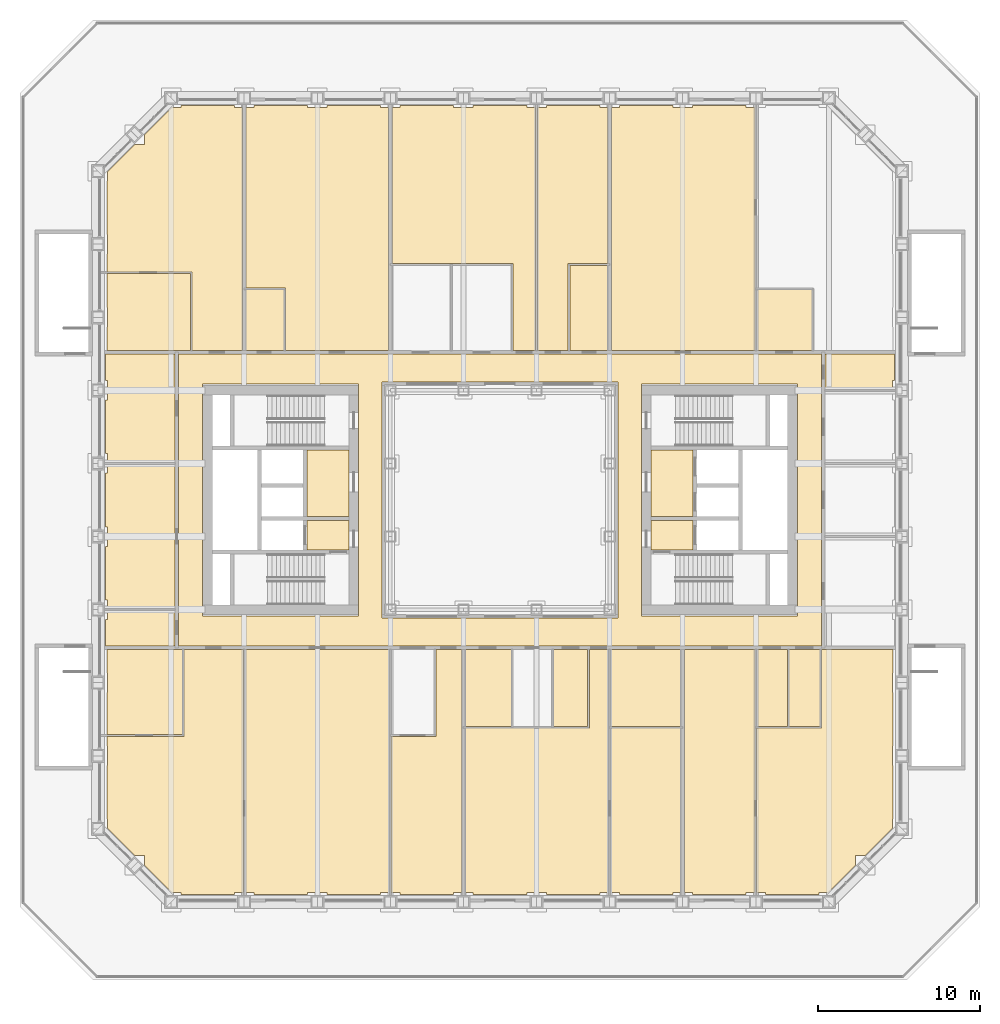
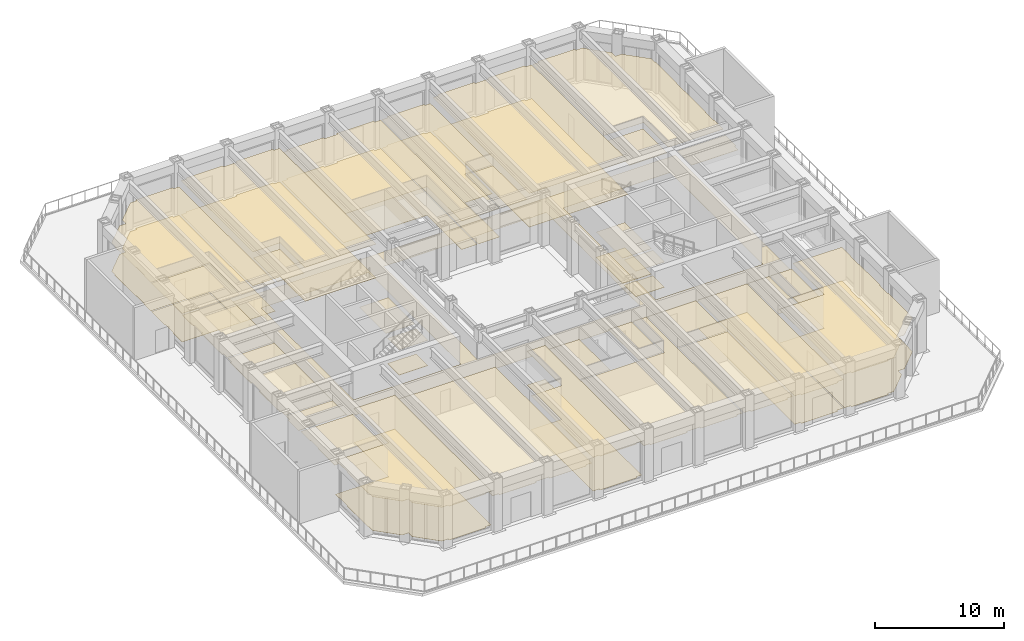
# One storey, part 16 of 18: 6 coverings.
"""IFC4 building model written with IfcOpenShell, lengths in metres."""

from ifc_helpers import new_model, si_unit, direction, frame, origin, place, context, subcontext, project, spatial, line, indexed_curve, outline, extrude, material, layer, layer_set, type_object, element, save


model = new_model("IFC4")

# Units and contexts
model_context = context("Model", 3, precision=1e-05, world=origin(), true_north=direction((0.0, 1.0)))
body_context = subcontext(model_context, "Body", "Model", "MODEL_VIEW")
ifc_project = project(units=[si_unit("LENGTHUNIT", "METRE"), si_unit("AREAUNIT", "SQUARE_METRE"), si_unit("VOLUMEUNIT", "CUBIC_METRE"), si_unit("PLANEANGLEUNIT", "RADIAN"), si_unit("MASSUNIT", "GRAM", prefix="KILO")], contexts=[model_context])

# Site, building, storey
site_placement = place(None, origin())
site = spatial("IfcSite", under=ifc_project, at=site_placement, CompositionType="ELEMENT")
building_placement = place(site_placement, origin())
building = spatial("IfcBuilding", under=site, at=building_placement, Name="Msasa Ring Tower", CompositionType="ELEMENT")
storey_placement = place(building_placement, frame((0.0, 0.0, 21.5)))
storey = spatial("IfcBuildingStorey", under=building, at=storey_placement, Name="L04", CompositionType="ELEMENT", Elevation=21.5)

# Coverings
ifc_material_1 = material(Name="Gypsum plasterboard on a steel suspension grid", Category="steel")
ifc_layer_1 = layer(ifc_material_1, 0.014892578125)
ifc_layer_set_1 = layer_set([ifc_layer_1], Name="C1 SUSPENDED PLASTERBOARD CEILING 15")
covering_type_1 = type_object("IfcCoveringType", Name="C1 SUSPENDED PLASTERBOARD CEILING 15", PredefinedType="CEILING", material=ifc_layer_set_1)
covering_1_placement = place(storey_placement, frame((0.0, 0.0, 2.39990234375)))
element("IfcCovering", 1, at=covering_1_placement, inside=storey, type_object=covering_type_1, Name="Suspended Plasterboard Ceiling 15 circulation L04", PredefinedType="CEILING", context=body_context, shape_type="SweptSolid", body=[
    extrude(outline(indexed_curve([(19.799560546875, 8.99951171875), (19.799560546875, -8.99951171875), (-19.799560546875, -8.99951171875), (-19.799560546875, 8.99951171875)], segments=[line(1, 2, 3, 4, 1)], self_intersect=False), holes=[indexed_curve([(18.300537109375, -7.150390625), (18.300537109375, 7.150390625), (8.699462890625, 7.150390625), (8.699462890625, -7.150390625)], segments=[line(1, 2, 3, 4, 1)], self_intersect=False), indexed_curve([(-8.699462890625, -7.150390625), (-8.699462890625, 7.150390625), (-18.300537109375, 7.150390625), (-18.300537109375, -7.150390625)], segments=[line(1, 2, 3, 4, 1)], self_intersect=False), indexed_curve([(-7.275390625, -7.275390625), (-6.224609375, -7.275390625), (-6.224609375, -7.25048828125), (-2.775390625, -7.25048828125), (-2.775390625, -7.275390625), (-1.724609375, -7.275390625), (-1.724609375, -7.25048828125), (1.724609375, -7.25048828125), (1.724609375, -7.275390625), (2.775390625, -7.275390625), (2.775390625, -7.25048828125), (6.224609375, -7.25048828125), (6.224609375, -7.275390625), (7.275390625, -7.275390625), (7.275390625, -6.224609375), (7.25048828125, -6.224609375), (7.25048828125, -2.775390625), (7.275390625, -2.775390625), (7.275390625, -1.724609375), (7.25048828125, -1.724609375), (7.25048828125, 1.724609375), (7.275390625, 1.724609375), (7.275390625, 2.775390625), (7.25048828125, 2.775390625), (7.25048828125, 6.224609375), (7.275390625, 6.224609375), (7.275390625, 7.275390625), (6.224609375, 7.275390625), (6.224609375, 7.25048828125), (2.775390625, 7.25048828125), (2.775390625, 7.275390625), (1.724609375, 7.275390625), (1.724609375, 7.25048828125), (-1.724609375, 7.25048828125), (-1.724609375, 7.275390625), (-2.775390625, 7.275390625), (-2.775390625, 7.25048828125), (-6.224609375, 7.25048828125), (-6.224609375, 7.275390625), (-7.275390625, 7.275390625), (-7.275390625, 6.224609375), (-7.25048828125, 6.224609375), (-7.25048828125, 2.775390625), (-7.275390625, 2.775390625), (-7.275390625, 1.724609375), (-7.25048828125, 1.724609375), (-7.25048828125, -1.724609375), (-7.275390625, -1.724609375), (-7.275390625, -2.775390625), (-7.25048828125, -2.775390625), (-7.25048828125, -6.224609375), (-7.275390625, -6.224609375)], segments=[line(1, 2, 3, 4, 5, 6, 7, 8, 9, 10, 11, 12, 13, 14, 15, 16, 17, 18, 19, 20, 21, 22, 23, 24, 25, 26, 27, 28, 29, 30, 31, 32, 33, 34, 35, 36, 37, 38, 39, 40, 41, 42, 43, 44, 45, 46, 47, 48, 49, 50, 51, 52, 1)], self_intersect=False)]), origin(), (0.0, 0.0, 1.0), 0.01513671875),
    extrude(outline(indexed_curve([(-9.300537109375, -3.074462890625), (-11.87451171875, -3.074462890625), (-11.87451171875, -1.275390625), (-9.300537109375, -1.275390625)], segments=[line(1, 2, 3, 4, 1)], self_intersect=False)), origin(), (0.0, 0.0, 1.0), 0.01513671875),
    extrude(outline(indexed_curve([(11.87451171875, -3.074462890625), (9.300537109375, -3.074462890625), (9.300537109375, -1.275390625), (11.87451171875, -1.275390625)], segments=[line(1, 2, 3, 4, 1)], self_intersect=False)), origin(), (0.0, 0.0, 1.0), 0.01513671875),
    extrude(outline(indexed_curve([(11.87451171875, -1.0244140625), (9.300537109375, -1.0244140625), (9.300537109375, 3.074462890625), (11.87451171875, 3.074462890625)], segments=[line(1, 2, 3, 4, 1)], self_intersect=False)), origin(), (0.0, 0.0, 1.0), 0.01513671875),
])
covering_2_placement = place(storey_placement, frame((0.0, 0.0, 3.199951171875)))
element("IfcCovering", 2, at=covering_2_placement, inside=storey, type_object=covering_type_1, Name="Suspended Plasterboard Ceiling 15 public rooms L04", PredefinedType="CEILING", context=body_context, shape_type="SweptSolid", body=[
    extrude(outline(indexed_curve([(-24.199462890625, -16.3505859375), (-24.1494140625, -16.3505859375), (-24.1494140625, -15.1494140625), (-24.199462890625, -15.1494140625), (-24.199462890625, -14.550537109375), (-19.449462890625, -14.550537109375), (-19.449462890625, -9.200439453125), (-15.800537109375, -9.200439453125), (-15.800537109375, -24.1494140625), (-16.3505859375, -24.1494140625), (-16.3505859375, -24.299560546875), (-19.6494140625, -24.299560546875), (-19.6494140625, -24.1494140625), (-20.21337890625, -24.1494140625), (-21.8994140625, -22.46337890625), (-21.8994140625, -21.8994140625), (-22.46337890625, -21.8994140625), (-24.1494140625, -20.21337890625), (-24.1494140625, -19.6494140625), (-24.199462890625, -19.6494140625)], segments=[line(1, 2, 3, 4, 5, 6, 7, 8, 9, 10, 11, 12, 13, 14, 15, 16, 17, 18, 19, 20, 1)], self_intersect=False)), origin(), (0.0, 0.0, 1.0), 0.01513671875),
    extrude(outline(indexed_curve([(-15.6494140625, 13.050537109375), (-15.6494140625, 24.1494140625), (-15.1494140625, 24.1494140625), (-15.1494140625, 24.299560546875), (-11.8505859375, 24.299560546875), (-11.8505859375, 24.1494140625), (-10.6494140625, 24.1494140625), (-10.6494140625, 24.299560546875), (-7.3505859375, 24.299560546875), (-7.3505859375, 24.1494140625), (-6.8505859375, 24.1494140625), (-6.8505859375, 9.200439453125), (-13.199462890625, 9.200439453125), (-13.199462890625, 13.050537109375)], segments=[line(1, 2, 3, 4, 5, 6, 7, 8, 9, 10, 11, 12, 13, 14, 1)], self_intersect=False)), origin(), (0.0, 0.0, 1.0), 0.01513671875),
    extrude(outline(indexed_curve([(-3.949462890625, -14.550537109375), (-3.949462890625, -9.200439453125), (-2.3505859375, -9.200439453125), (-2.3505859375, -24.1494140625), (-2.8505859375, -24.1494140625), (-2.8505859375, -24.299560546875), (-6.1494140625, -24.299560546875), (-6.1494140625, -24.1494140625), (-6.699462890625, -24.1494140625), (-6.699462890625, -14.550537109375)], segments=[line(1, 2, 3, 4, 5, 6, 7, 8, 9, 10, 1)], self_intersect=False)), origin(), (0.0, 0.0, 1.0), 0.01513671875),
    extrude(outline(indexed_curve([(6.8505859375, 9.200439453125), (6.8505859375, 24.1494140625), (7.3505859375, 24.1494140625), (7.3505859375, 24.299560546875), (10.6494140625, 24.299560546875), (10.6494140625, 24.1494140625), (11.8505859375, 24.1494140625), (11.8505859375, 24.299560546875), (15.1494140625, 24.299560546875), (15.1494140625, 24.1494140625), (15.699462890625, 24.1494140625), (15.699462890625, 9.200439453125)], segments=[line(1, 2, 3, 4, 5, 6, 7, 8, 9, 10, 11, 12, 1)], self_intersect=False)), origin(), (0.0, 0.0, 1.0), 0.01513671875),
    extrude(outline(indexed_curve([(19.800537109375, -14.050537109375), (19.800537109375, -9.200439453125), (24.199462890625, -9.200439453125), (24.199462890625, -10.6494140625), (24.1494140625, -10.6494140625), (24.1494140625, -11.8505859375), (24.199462890625, -11.8505859375), (24.199462890625, -15.1494140625), (24.1494140625, -15.1494140625), (24.1494140625, -16.3505859375), (24.199462890625, -16.3505859375), (24.199462890625, -19.6494140625), (24.1494140625, -19.6494140625), (24.1494140625, -20.21337890625), (22.46337890625, -21.8994140625), (21.8994140625, -21.8994140625), (21.8994140625, -22.46337890625), (20.21337890625, -24.1494140625), (19.6494140625, -24.1494140625), (19.6494140625, -24.299560546875), (16.3505859375, -24.299560546875), (16.3505859375, -24.1494140625), (15.800537109375, -24.1494140625), (15.800537109375, -14.050537109375)], segments=[line(1, 2, 3, 4, 5, 6, 7, 8, 9, 10, 11, 12, 13, 14, 15, 16, 17, 18, 19, 20, 21, 22, 23, 24, 1)], self_intersect=False)), origin(), (0.0, 0.0, 1.0), 0.01513671875),
    extrude(outline(indexed_curve([(15.800537109375, 24.1494140625), (16.3505859375, 24.1494140625), (16.3505859375, 24.299560546875), (19.6494140625, 24.299560546875), (19.6494140625, 24.1494140625), (20.21337890625, 24.1494140625), (21.8994140625, 22.46337890625), (21.8994140625, 21.8994140625), (22.46337890625, 21.8994140625), (24.1494140625, 20.21337890625), (24.1494140625, 19.6494140625), (24.199462890625, 19.6494140625), (24.199462890625, 16.3505859375), (24.1494140625, 16.3505859375), (24.1494140625, 15.1494140625), (24.199462890625, 15.1494140625), (24.199462890625, 11.8505859375), (24.1494140625, 11.8505859375), (24.1494140625, 10.6494140625), (24.199462890625, 10.6494140625), (24.199462890625, 9.200439453125), (19.300537109375, 9.200439453125), (19.300537109375, 13.050537109375), (15.800537109375, 13.050537109375)], segments=[line(1, 2, 3, 4, 5, 6, 7, 8, 9, 10, 11, 12, 13, 14, 15, 16, 17, 18, 19, 20, 21, 22, 23, 24, 1)], self_intersect=False)), origin(), (0.0, 0.0, 1.0), 0.01513671875),
])
covering_3_placement = place(storey_placement, frame((0.0, 0.0, 2.699951171875)))
element("IfcCovering", 3, at=covering_3_placement, inside=storey, type_object=covering_type_1, Name="Suspended Plasterboard Ceiling 15 L04", PredefinedType="CEILING", context=body_context, shape_type="SweptSolid", body=[
    extrude(outline(indexed_curve([(-24.199462890625, 14.050537109375), (-24.199462890625, 15.1494140625), (-24.1494140625, 15.1494140625), (-24.1494140625, 16.3505859375), (-24.199462890625, 16.3505859375), (-24.199462890625, 19.6494140625), (-24.1494140625, 19.6494140625), (-24.1494140625, 20.21337890625), (-22.46337890625, 21.8994140625), (-21.8994140625, 21.8994140625), (-21.8994140625, 22.46337890625), (-20.21337890625, 24.1494140625), (-19.6494140625, 24.1494140625), (-19.6494140625, 24.299560546875), (-16.3505859375, 24.299560546875), (-16.3505859375, 24.1494140625), (-15.8505859375, 24.1494140625), (-15.8505859375, 9.200439453125), (-18.949462890625, 9.200439453125), (-18.949462890625, 14.050537109375)], segments=[line(1, 2, 3, 4, 5, 6, 7, 8, 9, 10, 11, 12, 13, 14, 15, 16, 17, 18, 19, 20, 1)], self_intersect=False)), origin(), (0.0, 0.0, 1.0), 0.01513671875),
    extrude(outline(indexed_curve([(-24.199462890625, 9.200439453125), (-24.199462890625, 10.6494140625), (-24.1494140625, 10.6494140625), (-24.1494140625, 11.8505859375), (-24.199462890625, 11.8505859375), (-24.199462890625, 13.949462890625), (-19.050537109375, 13.949462890625), (-19.050537109375, 9.200439453125)], segments=[line(1, 2, 3, 4, 5, 6, 7, 8, 1)], self_intersect=False)), origin(), (0.0, 0.0, 1.0), 0.01513671875),
    extrude(outline(indexed_curve([(-2.8505859375, 24.299560546875), (-2.8505859375, 24.1494140625), (-1.6494140625, 24.1494140625), (-1.6494140625, 24.299560546875), (1.6494140625, 24.299560546875), (1.6494140625, 24.1494140625), (2.199462890625, 24.1494140625), (2.199462890625, 9.200439453125), (0.800537109375, 9.200439453125), (0.800537109375, 14.550537109375), (-6.6494140625, 14.550537109375), (-6.6494140625, 24.1494140625), (-6.1494140625, 24.1494140625), (-6.1494140625, 24.299560546875)], segments=[line(1, 2, 3, 4, 5, 6, 7, 8, 9, 10, 11, 12, 13, 14, 1)], self_intersect=False)), origin(), (0.0, 0.0, 1.0), 0.01513671875),
    extrude(outline(indexed_curve([(4.199462890625, 14.550537109375), (4.199462890625, 9.200439453125), (2.300537109375, 9.200439453125), (2.300537109375, 24.1494140625), (2.8505859375, 24.1494140625), (2.8505859375, 24.299560546875), (6.1494140625, 24.299560546875), (6.1494140625, 24.1494140625), (6.6494140625, 24.1494140625), (6.6494140625, 14.550537109375)], segments=[line(1, 2, 3, 4, 5, 6, 7, 8, 9, 10, 1)], self_intersect=False)), origin(), (0.0, 0.0, 1.0), 0.01513671875),
    extrude(outline(indexed_curve([(6.800537109375, -13.949462890625), (6.800537109375, -9.200439453125), (11.1494140625, -9.200439453125), (11.1494140625, -13.949462890625)], segments=[line(1, 2, 3, 4, 1)], self_intersect=False)), origin(), (0.0, 0.0, 1.0), 0.01513671875),
    extrude(outline(indexed_curve([(11.8505859375, -24.299560546875), (11.8505859375, -24.1494140625), (11.3505859375, -24.1494140625), (11.3505859375, -9.200439453125), (15.699462890625, -9.200439453125), (15.699462890625, -24.1494140625), (15.1494140625, -24.1494140625), (15.1494140625, -24.299560546875)], segments=[line(1, 2, 3, 4, 5, 6, 7, 8, 1)], self_intersect=False)), origin(), (0.0, 0.0, 1.0), 0.01513671875),
])
ifc_material_2 = material(Name="Mineral fibre ceiling tiles on an exposed steel grid", Category="steel")
ifc_layer_2 = layer(ifc_material_2, 0.02001953125)
ifc_layer_set_2 = layer_set([ifc_layer_2], Name="C3 ACOUSTIC MINERAL FIBRE TILE CEILING 20")
covering_type_2 = type_object("IfcCoveringType", Name="C3 ACOUSTIC MINERAL FIBRE TILE CEILING 20", PredefinedType="CEILING", material=ifc_layer_set_2)
covering_4_placement = place(storey_placement, frame((0.0, 0.0, 2.699951171875)))
element("IfcCovering", 4, at=covering_4_placement, inside=storey, type_object=covering_type_2, Name="Acoustic Mineral Fibre Tile Ceiling 20 L04", PredefinedType="CEILING", context=body_context, shape_type="SweptSolid", body=[
    extrude(outline(indexed_curve([(-20.00048828125, -8.99951171875), (-24.299560546875, -8.99951171875), (-24.299560546875, -7.3505859375), (-24.1494140625, -7.3505859375), (-24.1494140625, -6.805419921875), (-20.00048828125, -6.805419921875)], segments=[line(1, 2, 3, 4, 5, 6, 1)], self_intersect=False)), origin(), (0.0, 0.0, 1.0), 0.02001953125),
    extrude(outline(indexed_curve([(-20.00048828125, -6.694580078125), (-24.1494140625, -6.694580078125), (-24.1494140625, -6.1494140625), (-24.299560546875, -6.1494140625), (-24.299560546875, -2.8505859375), (-24.1494140625, -2.8505859375), (-24.1494140625, -1.6494140625), (-24.299560546875, -1.6494140625), (-24.299560546875, 1.6494140625), (-24.1494140625, 1.6494140625), (-24.1494140625, 2.194580078125), (-20.00048828125, 2.194580078125)], segments=[line(1, 2, 3, 4, 5, 6, 7, 8, 9, 10, 11, 12, 1)], self_intersect=False)), origin(), (0.0, 0.0, 1.0), 0.02001953125),
    extrude(outline(indexed_curve([(-20.00048828125, 2.305419921875), (-24.1494140625, 2.305419921875), (-24.1494140625, 2.8505859375), (-24.299560546875, 2.8505859375), (-24.299560546875, 6.1494140625), (-24.1494140625, 6.1494140625), (-24.1494140625, 7.3505859375), (-24.299560546875, 7.3505859375), (-24.299560546875, 8.99951171875), (-20.00048828125, 8.99951171875)], segments=[line(1, 2, 3, 4, 5, 6, 7, 8, 9, 10, 1)], self_intersect=False)), origin(), (0.0, 0.0, 1.0), 0.02001953125),
    extrude(outline(indexed_curve([(-24.199462890625, -11.8505859375), (-24.1494140625, -11.8505859375), (-24.1494140625, -10.6494140625), (-24.199462890625, -10.6494140625), (-24.199462890625, -9.200439453125), (-19.550537109375, -9.200439453125), (-19.550537109375, -14.449462890625), (-24.199462890625, -14.449462890625)], segments=[line(1, 2, 3, 4, 5, 6, 7, 8, 1)], self_intersect=False)), origin(), (0.0, 0.0, 1.0), 0.02001953125),
    extrude(outline(indexed_curve([(-15.699462890625, -9.200439453125), (-6.800537109375, -9.200439453125), (-6.800537109375, -24.1494140625), (-7.3505859375, -24.1494140625), (-7.3505859375, -24.299560546875), (-10.6494140625, -24.299560546875), (-10.6494140625, -24.1494140625), (-11.8505859375, -24.1494140625), (-11.8505859375, -24.299560546875), (-15.1494140625, -24.299560546875), (-15.1494140625, -24.1494140625), (-15.699462890625, -24.1494140625)], segments=[line(1, 2, 3, 4, 5, 6, 7, 8, 9, 10, 11, 12, 1)], self_intersect=False)), origin(), (0.0, 0.0, 1.0), 0.02001953125),
    extrude(outline(indexed_curve([(-15.6494140625, 12.949462890625), (-13.300537109375, 12.949462890625), (-13.300537109375, 9.200439453125), (-15.6494140625, 9.200439453125)], segments=[line(1, 2, 3, 4, 1)], self_intersect=False)), origin(), (0.0, 0.0, 1.0), 0.02001953125),
    extrude(outline(indexed_curve([(-11.87451171875, 3.074462890625), (-9.300537109375, 3.074462890625), (-9.300537109375, -1.0244140625), (-11.87451171875, -1.0244140625)], segments=[line(1, 2, 3, 4, 1)], self_intersect=False)), origin(), (0.0, 0.0, 1.0), 0.02001953125),
    extrude(outline(indexed_curve([(5.50048828125, -14.050537109375), (5.50048828125, -9.200439453125), (6.699462890625, -9.200439453125), (6.699462890625, -24.1494140625), (6.1494140625, -24.1494140625), (6.1494140625, -24.299560546875), (2.8505859375, -24.299560546875), (2.8505859375, -24.1494140625), (1.6494140625, -24.1494140625), (1.6494140625, -24.299560546875), (-1.6494140625, -24.299560546875), (-1.6494140625, -24.1494140625), (-2.1494140625, -24.1494140625), (-2.1494140625, -14.050537109375)], segments=[line(1, 2, 3, 4, 5, 6, 7, 8, 9, 10, 11, 12, 13, 14, 1)], self_intersect=False)), origin(), (0.0, 0.0, 1.0), 0.02001953125),
    extrude(outline(indexed_curve([(-2.1494140625, -9.200439453125), (0.699462890625, -9.200439453125), (0.699462890625, -13.949462890625), (-2.1494140625, -13.949462890625)], segments=[line(1, 2, 3, 4, 1)], self_intersect=False)), origin(), (0.0, 0.0, 1.0), 0.02001953125),
    extrude(outline(indexed_curve([(3.300537109375, -9.200439453125), (5.3994140625, -9.200439453125), (5.3994140625, -13.949462890625), (3.300537109375, -13.949462890625)], segments=[line(1, 2, 3, 4, 1)], self_intersect=False)), origin(), (0.0, 0.0, 1.0), 0.02001953125),
    extrude(outline(indexed_curve([(6.6494140625, 14.449462890625), (6.6494140625, 9.200439453125), (4.300537109375, 9.200439453125), (4.300537109375, 14.449462890625)], segments=[line(1, 2, 3, 4, 1)], self_intersect=False)), origin(), (0.0, 0.0, 1.0), 0.02001953125),
    extrude(outline(indexed_curve([(11.1494140625, -14.050537109375), (11.1494140625, -24.1494140625), (10.6494140625, -24.1494140625), (10.6494140625, -24.299560546875), (7.3505859375, -24.299560546875), (7.3505859375, -24.1494140625), (6.800537109375, -24.1494140625), (6.800537109375, -14.050537109375)], segments=[line(1, 2, 3, 4, 5, 6, 7, 8, 1)], self_intersect=False)), origin(), (0.0, 0.0, 1.0), 0.02001953125),
    extrude(outline(indexed_curve([(15.800537109375, -9.200439453125), (17.699462890625, -9.200439453125), (17.699462890625, -13.949462890625), (15.800537109375, -13.949462890625)], segments=[line(1, 2, 3, 4, 1)], self_intersect=False)), origin(), (0.0, 0.0, 1.0), 0.02001953125),
    extrude(outline(indexed_curve([(15.800537109375, 12.949462890625), (19.199462890625, 12.949462890625), (19.199462890625, 9.200439453125), (15.800537109375, 9.200439453125)], segments=[line(1, 2, 3, 4, 1)], self_intersect=False)), origin(), (0.0, 0.0, 1.0), 0.02001953125),
    extrude(outline(indexed_curve([(17.800537109375, -9.200439453125), (19.699462890625, -9.200439453125), (19.699462890625, -13.949462890625), (17.800537109375, -13.949462890625)], segments=[line(1, 2, 3, 4, 1)], self_intersect=False)), origin(), (0.0, 0.0, 1.0), 0.02001953125),
    extrude(outline(indexed_curve([(20.00048828125, 6.805419921875), (20.00048828125, 8.99951171875), (24.299560546875, 8.99951171875), (24.299560546875, 7.3505859375), (24.1494140625, 7.3505859375), (24.1494140625, 6.805419921875)], segments=[line(1, 2, 3, 4, 5, 6, 1)], self_intersect=False)), origin(), (0.0, 0.0, 1.0), 0.02001953125),
])
ifc_material_3 = material(Name="Honed granite tiles on a mortar bed", Category="masonry")
ifc_layer_3 = layer(ifc_material_3, 0.030029296875)
ifc_layer_set_3 = layer_set([ifc_layer_3], Name="F1 HONED GRANITE ON BEDDING 30")
covering_type_3 = type_object("IfcCoveringType", Name="F1 HONED GRANITE ON BEDDING 30", PredefinedType="FLOORING", material=ifc_layer_set_3)
covering_5_placement = place(storey_placement, origin())
element("IfcCovering", 5, at=covering_5_placement, inside=storey, type_object=covering_type_3, Name="Honed Granite On Bedding 30 L04", PredefinedType="FLOORING", context=body_context, shape_type="SweptSolid", body=[
    extrude(outline(indexed_curve([(-9.300537109375, -3.074462890625), (-11.87451171875, -3.074462890625), (-11.87451171875, -1.275390625), (-9.300537109375, -1.275390625)], segments=[line(1, 2, 3, 4, 1)], self_intersect=False)), origin(), (0.0, 0.0, 1.0), 0.030029296875),
    extrude(outline(indexed_curve([(9.300537109375, -3.074462890625), (9.300537109375, -1.275390625), (11.87451171875, -1.275390625), (11.87451171875, -3.074462890625)], segments=[line(1, 2, 3, 4, 1)], self_intersect=False)), origin(), (0.0, 0.0, 1.0), 0.030029296875),
    extrude(outline(indexed_curve([(9.300537109375, -1.0244140625), (9.300537109375, 3.074462890625), (11.87451171875, 3.074462890625), (11.87451171875, -1.0244140625)], segments=[line(1, 2, 3, 4, 1)], self_intersect=False)), origin(), (0.0, 0.0, 1.0), 0.030029296875),
])
ifc_material_4 = material(Name="Engineered oak boards on an acoustic underlay", Category="wood")
ifc_layer_4 = layer(ifc_material_4, 0.01806640625)
ifc_layer_set_4 = layer_set([ifc_layer_4], Name="F3 ENGINEERED TIMBER ON ACOUSTIC UNDERLAY 18")
covering_type_4 = type_object("IfcCoveringType", Name="F3 ENGINEERED TIMBER ON ACOUSTIC UNDERLAY 18", PredefinedType="FLOORING", material=ifc_layer_set_4)
covering_6_placement = place(storey_placement, origin())
element("IfcCovering", 6, at=covering_6_placement, inside=storey, type_object=covering_type_4, Name="Engineered Timber On Acoustic Underlay 18 L04", PredefinedType="FLOORING", context=body_context, shape_type="SweptSolid", body=[
    extrude(outline(indexed_curve([(-19.449462890625, -14.550537109375), (-19.449462890625, -9.200439453125), (-15.800537109375, -9.200439453125), (-15.800537109375, -24.1494140625), (-16.3505859375, -24.1494140625), (-16.3505859375, -24.299560546875), (-19.6494140625, -24.299560546875), (-19.6494140625, -24.1494140625), (-20.21337890625, -24.1494140625), (-21.8994140625, -22.46337890625), (-21.8994140625, -21.8994140625), (-22.46337890625, -21.8994140625), (-24.1494140625, -20.21337890625), (-24.1494140625, -19.6494140625), (-24.199462890625, -19.6494140625), (-24.199462890625, -16.3505859375), (-24.1494140625, -16.3505859375), (-24.1494140625, -15.1494140625), (-24.199462890625, -15.1494140625), (-24.199462890625, -14.550537109375)], segments=[line(1, 2, 3, 4, 5, 6, 7, 8, 9, 10, 11, 12, 13, 14, 15, 16, 17, 18, 19, 20, 1)], self_intersect=False)), origin(), (0.0, 0.0, 1.0), 0.01806640625),
    extrude(outline(indexed_curve([(-22.46337890625, 21.8994140625), (-21.8994140625, 21.8994140625), (-21.8994140625, 22.46337890625), (-20.21337890625, 24.1494140625), (-19.6494140625, 24.1494140625), (-19.6494140625, 24.299560546875), (-16.3505859375, 24.299560546875), (-16.3505859375, 24.1494140625), (-15.8505859375, 24.1494140625), (-15.8505859375, 9.200439453125), (-18.949462890625, 9.200439453125), (-18.949462890625, 14.050537109375), (-24.199462890625, 14.050537109375), (-24.199462890625, 15.1494140625), (-24.1494140625, 15.1494140625), (-24.1494140625, 16.3505859375), (-24.199462890625, 16.3505859375), (-24.199462890625, 19.6494140625), (-24.1494140625, 19.6494140625), (-24.1494140625, 20.21337890625)], segments=[line(1, 2, 3, 4, 5, 6, 7, 8, 9, 10, 11, 12, 13, 14, 15, 16, 17, 18, 19, 20, 1)], self_intersect=False)), origin(), (0.0, 0.0, 1.0), 0.01806640625),
    extrude(outline(indexed_curve([(-19.050537109375, 13.949462890625), (-19.050537109375, 9.200439453125), (-24.199462890625, 9.200439453125), (-24.199462890625, 10.6494140625), (-24.1494140625, 10.6494140625), (-24.1494140625, 11.8505859375), (-24.199462890625, 11.8505859375), (-24.199462890625, 13.949462890625)], segments=[line(1, 2, 3, 4, 5, 6, 7, 8, 1)], self_intersect=False)), origin(), (0.0, 0.0, 1.0), 0.01806640625),
    extrude(outline(indexed_curve([(-11.8505859375, 24.299560546875), (-11.8505859375, 24.1494140625), (-10.6494140625, 24.1494140625), (-10.6494140625, 24.299560546875), (-7.3505859375, 24.299560546875), (-7.3505859375, 24.1494140625), (-6.8505859375, 24.1494140625), (-6.8505859375, 9.200439453125), (-13.199462890625, 9.200439453125), (-13.199462890625, 13.050537109375), (-15.6494140625, 13.050537109375), (-15.6494140625, 24.1494140625), (-15.1494140625, 24.1494140625), (-15.1494140625, 24.299560546875)], segments=[line(1, 2, 3, 4, 5, 6, 7, 8, 9, 10, 11, 12, 13, 14, 1)], self_intersect=False)), origin(), (0.0, 0.0, 1.0), 0.01806640625),
    extrude(outline(indexed_curve([(-2.3505859375, -9.200439453125), (-2.3505859375, -24.1494140625), (-2.8505859375, -24.1494140625), (-2.8505859375, -24.299560546875), (-6.1494140625, -24.299560546875), (-6.1494140625, -24.1494140625), (-6.699462890625, -24.1494140625), (-6.699462890625, -14.550537109375), (-3.949462890625, -14.550537109375), (-3.949462890625, -9.200439453125)], segments=[line(1, 2, 3, 4, 5, 6, 7, 8, 9, 10, 1)], self_intersect=False)), origin(), (0.0, 0.0, 1.0), 0.01806640625),
    extrude(outline(indexed_curve([(-2.8505859375, 24.299560546875), (-2.8505859375, 24.1494140625), (-1.6494140625, 24.1494140625), (-1.6494140625, 24.299560546875), (1.6494140625, 24.299560546875), (1.6494140625, 24.1494140625), (2.199462890625, 24.1494140625), (2.199462890625, 9.200439453125), (0.800537109375, 9.200439453125), (0.800537109375, 14.550537109375), (-6.6494140625, 14.550537109375), (-6.6494140625, 24.1494140625), (-6.1494140625, 24.1494140625), (-6.1494140625, 24.299560546875)], segments=[line(1, 2, 3, 4, 5, 6, 7, 8, 9, 10, 11, 12, 13, 14, 1)], self_intersect=False)), origin(), (0.0, 0.0, 1.0), 0.01806640625),
    extrude(outline(indexed_curve([(2.300537109375, 24.1494140625), (2.8505859375, 24.1494140625), (2.8505859375, 24.299560546875), (6.1494140625, 24.299560546875), (6.1494140625, 24.1494140625), (6.6494140625, 24.1494140625), (6.6494140625, 14.550537109375), (4.199462890625, 14.550537109375), (4.199462890625, 9.200439453125), (2.300537109375, 9.200439453125)], segments=[line(1, 2, 3, 4, 5, 6, 7, 8, 9, 10, 1)], self_intersect=False)), origin(), (0.0, 0.0, 1.0), 0.01806640625),
    extrude(outline(indexed_curve([(10.6494140625, 24.299560546875), (10.6494140625, 24.1494140625), (11.8505859375, 24.1494140625), (11.8505859375, 24.299560546875), (15.1494140625, 24.299560546875), (15.1494140625, 24.1494140625), (15.699462890625, 24.1494140625), (15.699462890625, 9.200439453125), (6.8505859375, 9.200439453125), (6.8505859375, 24.1494140625), (7.3505859375, 24.1494140625), (7.3505859375, 24.299560546875)], segments=[line(1, 2, 3, 4, 5, 6, 7, 8, 9, 10, 11, 12, 1)], self_intersect=False)), origin(), (0.0, 0.0, 1.0), 0.01806640625),
    extrude(outline(indexed_curve([(11.3505859375, -9.200439453125), (15.699462890625, -9.200439453125), (15.699462890625, -24.1494140625), (15.1494140625, -24.1494140625), (15.1494140625, -24.299560546875), (11.8505859375, -24.299560546875), (11.8505859375, -24.1494140625), (11.3505859375, -24.1494140625)], segments=[line(1, 2, 3, 4, 5, 6, 7, 8, 1)], self_intersect=False)), origin(), (0.0, 0.0, 1.0), 0.01806640625),
    extrude(outline(indexed_curve([(19.800537109375, -14.050537109375), (19.800537109375, -9.200439453125), (24.199462890625, -9.200439453125), (24.199462890625, -10.6494140625), (24.1494140625, -10.6494140625), (24.1494140625, -11.8505859375), (24.199462890625, -11.8505859375), (24.199462890625, -15.1494140625), (24.1494140625, -15.1494140625), (24.1494140625, -16.3505859375), (24.199462890625, -16.3505859375), (24.199462890625, -19.6494140625), (24.1494140625, -19.6494140625), (24.1494140625, -20.21337890625), (22.46337890625, -21.8994140625), (21.8994140625, -21.8994140625), (21.8994140625, -22.46337890625), (20.21337890625, -24.1494140625), (19.6494140625, -24.1494140625), (19.6494140625, -24.299560546875), (16.3505859375, -24.299560546875), (16.3505859375, -24.1494140625), (15.800537109375, -24.1494140625), (15.800537109375, -14.050537109375)], segments=[line(1, 2, 3, 4, 5, 6, 7, 8, 9, 10, 11, 12, 13, 14, 15, 16, 17, 18, 19, 20, 21, 22, 23, 24, 1)], self_intersect=False)), origin(), (0.0, 0.0, 1.0), 0.01806640625),
])

save(model, "model.ifc")
